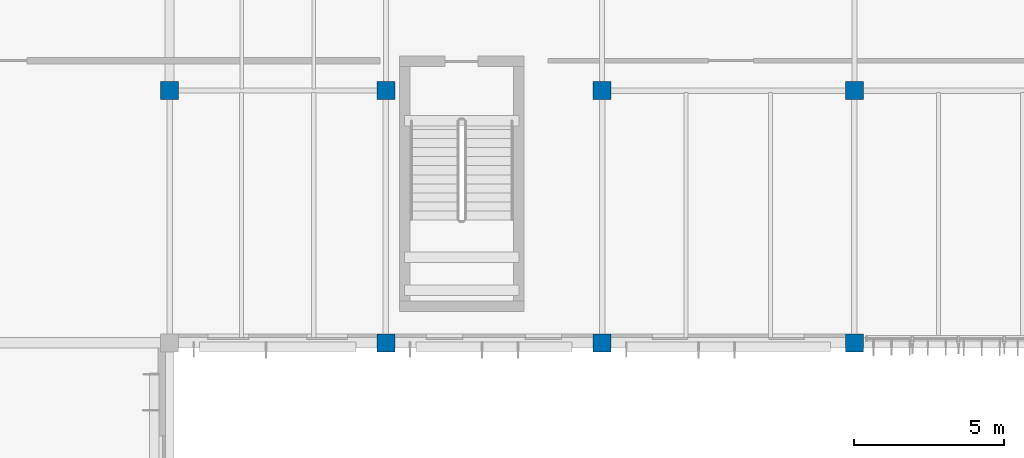
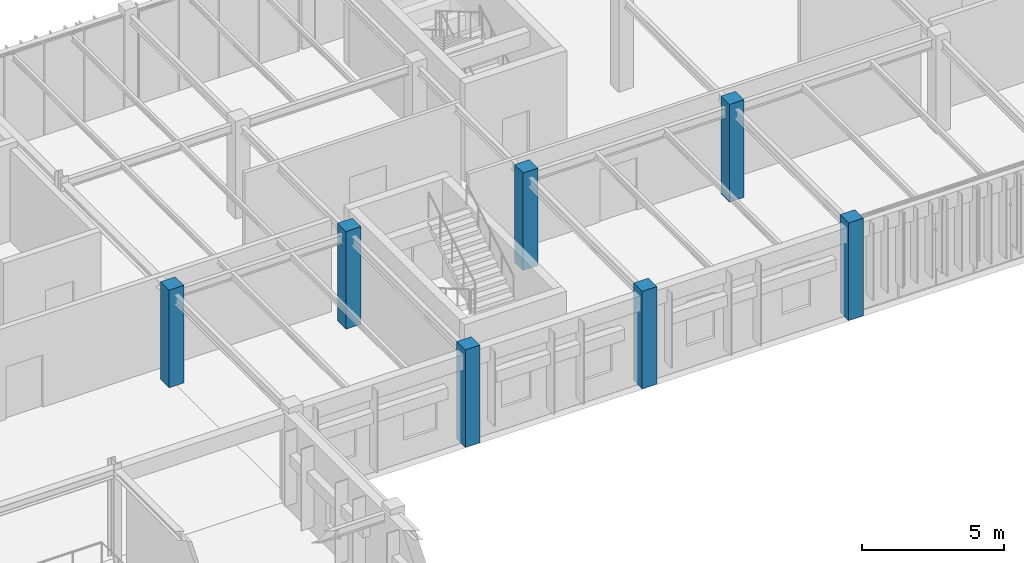
# One storey, part 9 of 104: 7 columns.
"""IFC4 building model written with IfcOpenShell, lengths in metres."""

from ifc_helpers import new_model, si_unit, direction, frame, origin, origin_2d, place, context, subcontext, project, spatial, rectangle, extrude, material, material_profile, profile_set, type_object, element, save


model = new_model("IFC4")

# Units and contexts
model_context = context("Model", 3, precision=1e-05, world=origin(), true_north=direction((0.0, 1.0)))
body_context = subcontext(model_context, "Body", "Model", "MODEL_VIEW")
ifc_project = project(units=[si_unit("LENGTHUNIT", "METRE"), si_unit("AREAUNIT", "SQUARE_METRE"), si_unit("VOLUMEUNIT", "CUBIC_METRE"), si_unit("PLANEANGLEUNIT", "RADIAN"), si_unit("MASSUNIT", "GRAM", prefix="KILO")], contexts=[model_context])

# Site, building, storey
site_placement = place(None, origin())
site = spatial("IfcSite", under=ifc_project, at=site_placement, CompositionType="ELEMENT")
building_placement = place(site_placement, origin())
building = spatial("IfcBuilding", under=site, at=building_placement, Name="Tazoul Stagehouse", CompositionType="ELEMENT")
storey_placement = place(building_placement, frame((0.0, 0.0, 9.0)))
storey = spatial("IfcBuildingStorey", under=building, at=storey_placement, Name="L02", CompositionType="ELEMENT", Elevation=9.0)

# Columns
ifc_material = material(Name="Concrete C40/50", Category="concrete")
ifc_material_profile_1 = material_profile(ifc_material, rectangle(XDim=0.60009765625, YDim=0.60009765625, at=origin_2d()), Name="RC 600x600")
ifc_profile_set_1 = profile_set([ifc_material_profile_1], Name="Concrete C40/50")
column_type_1 = type_object("IfcColumnType", Name="RC Column 600x600", PredefinedType="COLUMN", material=ifc_profile_set_1)
for number, where, z_axis, x_axis, name in (
    (1, (102.60009765625, 96.199951171875, 0.0), (0.0, 0.0, 1.0), (1.0, 0.0, 0.0), "L02 Column C-03 at 16/P"),
    (2, (109.800048828125, 96.199951171875, 0.0), (0.0, 0.0, 1.0), (1.0, 0.0, 0.0), "L02 Column C-03 at 17/P"),
    (3, (117.0, 96.199951171875, 0.0), (0.0, 0.0, 1.0), (1.0, 0.0, 0.0), "L02 Column C-03 at 18/P"),
    (4, (125.39990234375, 96.199951171875, 0.0), (0.0, 0.0, 1.0), (1.0, 0.0, 0.0), "L02 Column C-03 at 19/P"),
):
    element("IfcColumn", number, at=place(storey_placement, frame(where, z_axis=z_axis, x_axis=x_axis)), inside=storey, type_object=column_type_1, Name=name, PredefinedType="COLUMN", context=body_context, shape_type="SweptSolid", body=[
        extrude(rectangle(XDim=0.60009765625, YDim=0.60009765625, at=origin_2d()), origin(), (0.0, 0.0, 1.0), 4.199951171875),
    ])
ifc_material_profile_2 = material_profile(ifc_material, rectangle(XDim=0.60009765625, YDim=0.60009765625, at=origin_2d()), Name="RC 600x600")
ifc_profile_set_2 = profile_set([ifc_material_profile_2], Name="Concrete C40/50")
column_type_2 = type_object("IfcColumnType", Name="RC Column 600x600 (Exterior)", PredefinedType="COLUMN", material=ifc_profile_set_2)
for number, where, z_axis, x_axis, name in (
    (5, (109.800048828125, 87.800048828125, 0.0), (0.0, 0.0, 1.0), (1.0, 0.0, 0.0), "L02 Column C-03E at 17/N"),
    (6, (117.0, 87.800048828125, 0.0), (0.0, 0.0, 1.0), (1.0, 0.0, 0.0), "L02 Column C-03E at 18/N"),
    (7, (125.39990234375, 87.800048828125, 0.0), (0.0, 0.0, 1.0), (1.0, 0.0, 0.0), "L02 Column C-03E at 19/N"),
):
    element("IfcColumn", number, at=place(storey_placement, frame(where, z_axis=z_axis, x_axis=x_axis)), inside=storey, type_object=column_type_2, Name=name, PredefinedType="COLUMN", context=body_context, shape_type="SweptSolid", body=[
        extrude(rectangle(XDim=0.60009765625, YDim=0.60009765625, at=origin_2d()), origin(), (0.0, 0.0, 1.0), 4.199951171875),
    ])

save(model, "model.ifc")
